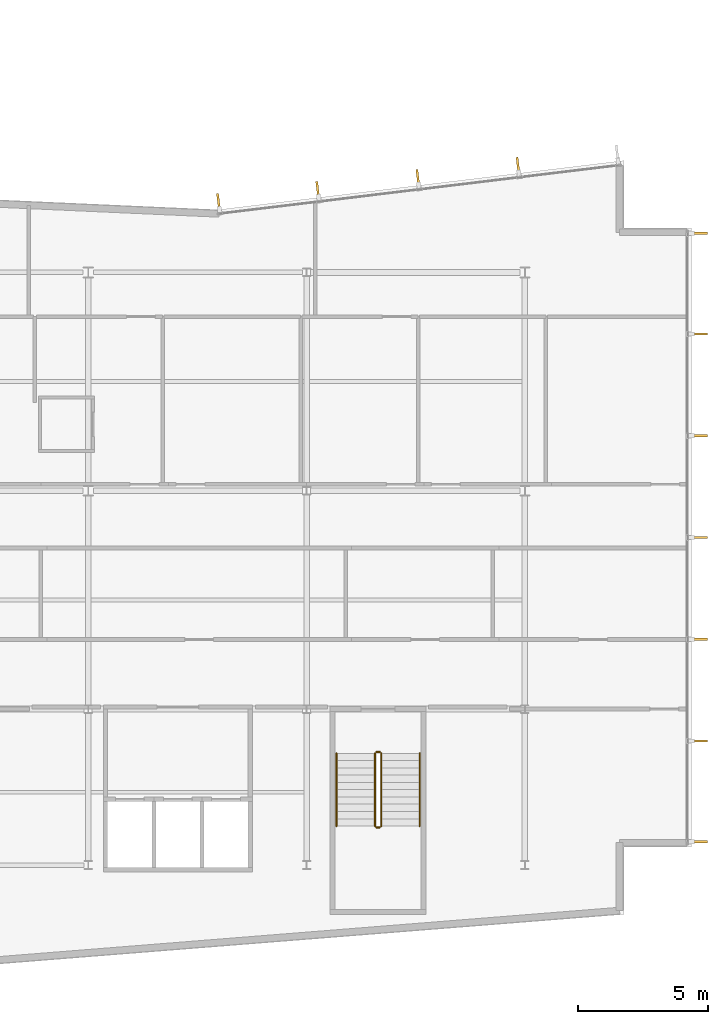
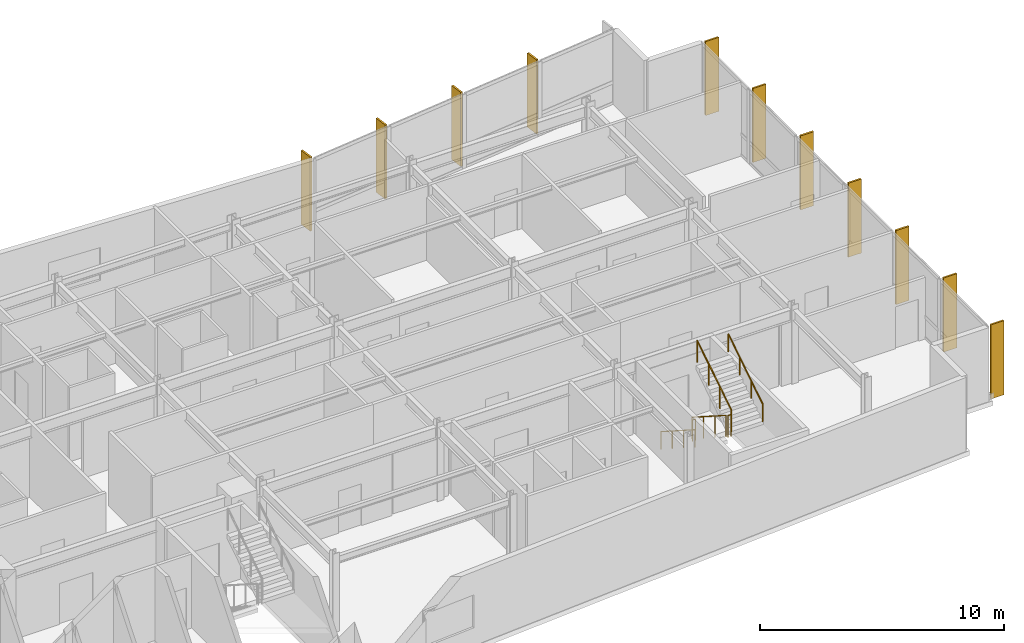
# One storey, part 16 of 18: 11 shading devices, 6 railings.
"""IFC4 building model written with IfcOpenShell, lengths in metres."""

from ifc_helpers import new_model, si_unit, direction, frame, origin, origin_2d, place, context, subcontext, project, spatial, rectangle, circle, extrude, material, layer, layer_set, type_object, element, save


model = new_model("IFC4")

# Units and contexts
model_context = context("Model", 3, precision=1e-05, world=origin(), true_north=direction((0.0, 1.0)))
body_context = subcontext(model_context, "Body", "Model", "MODEL_VIEW")
ifc_project = project(units=[si_unit("LENGTHUNIT", "METRE"), si_unit("AREAUNIT", "SQUARE_METRE"), si_unit("VOLUMEUNIT", "CUBIC_METRE"), si_unit("PLANEANGLEUNIT", "RADIAN"), si_unit("MASSUNIT", "GRAM", prefix="KILO")], contexts=[model_context])

# Site, building, storey
site_placement = place(None, origin())
site = spatial("IfcSite", under=ifc_project, at=site_placement, CompositionType="ELEMENT")
building_placement = place(site_placement, origin())
building = spatial("IfcBuilding", under=site, at=building_placement, Name="Varnakote Quay Hospital", CompositionType="ELEMENT")
storey_placement = place(building_placement, frame((0.0, 0.0, 158.64990234375)))
storey = spatial("IfcBuildingStorey", under=building, at=storey_placement, Name="L39", CompositionType="ELEMENT", Elevation=158.64990234375)

# Railings
ifc_material_1 = material(Name="Brushed stainless steel balustrade", Category="steel")
railing_type_1 = type_object("IfcRailingType", Name="RLG-STAIR-GUARD-1150", PredefinedType="GUARDRAIL", material=ifc_material_1)
railing_1_placement = place(storey_placement, frame((44.6298828125, 10.300048828125, 0.1796875)))
element("IfcRailing", 1, at=railing_1_placement, inside=storey, type_object=railing_type_1, Name="L39 ST-03 stair guard 1", PredefinedType="GUARDRAIL", context=body_context, shape_type="SweptSolid", body=[
    extrude(circle(Radius=0.02392578125, at=origin_2d()), frame((0.0, 0.0, 1.076171875), z_axis=(0.0, -0.841809871826, 0.539774156196), x_axis=(1.0, 0.0, 0.0)), (0.0, 0.0, 1.0), 3.326171875),
    extrude(circle(Radius=0.02099609375, at=origin_2d()), origin(), (0.0, 0.0, 1.0), 1.052001953125),
    extrude(circle(Radius=0.02099609375, at=origin_2d()), frame((0.0, -0.933349609375, 0.598388671875)), (0.0, 0.0, 1.0), 1.052001953125),
    extrude(circle(Radius=0.02099609375, at=origin_2d()), frame((0.0, -1.86669921875, 1.197021484375)), (0.0, 0.0, 1.0), 1.052001953125),
    extrude(circle(Radius=0.02099609375, at=origin_2d()), frame((0.0, -2.800048828125, 1.79541015625)), (0.0, 0.0, 1.0), 1.052001953125),
])
railing_2_placement = place(storey_placement, frame((44.679931640625, 7.449951171875, 1.97509765625)))
element("IfcRailing", 2, at=railing_2_placement, inside=storey, type_object=railing_type_1, Name="L39 ST-03 stair guard 2", PredefinedType="GUARDRAIL", context=body_context, shape_type="SweptSolid", body=[
    extrude(circle(Radius=0.02392578125, at=origin_2d()), frame((0.0, 0.0, 1.076171875), z_axis=(1.0, 0.0, 0.0), x_axis=(0.0, 1.0, 0.0)), (0.0, 0.0, 1.0), 0.14013671875),
    extrude(circle(Radius=0.02099609375, at=origin_2d()), origin(), (0.0, 0.0, 1.0), 1.052001953125),
    extrude(circle(Radius=0.02099609375, at=origin_2d()), frame((0.14013671875, 0.0, 0.0)), (0.0, 0.0, 1.0), 1.052001953125),
])
railing_3_placement = place(storey_placement, frame((44.8701171875, 7.5, 2.154541015625)))
element("IfcRailing", 3, at=railing_3_placement, inside=storey, type_object=railing_type_1, Name="L39 ST-03 stair guard 3", PredefinedType="GUARDRAIL", context=body_context, shape_type="SweptSolid", body=[
    extrude(circle(Radius=0.02392578125, at=origin_2d()), frame((0.0, 0.0, 1.076171875), z_axis=(0.0, 0.841776520102, 0.539826166654), x_axis=(-1.0, 0.0, 0.0)), (0.0, 0.0, 1.0), 3.326416015625),
    extrude(circle(Radius=0.02099609375, at=origin_2d()), origin(), (0.0, 0.0, 1.0), 1.052001953125),
    extrude(circle(Radius=0.02099609375, at=origin_2d()), frame((0.0, 0.933349609375, 0.5986328125)), (0.0, 0.0, 1.0), 1.052001953125),
    extrude(circle(Radius=0.02099609375, at=origin_2d()), frame((0.0, 1.86669921875, 1.197021484375)), (0.0, 0.0, 1.0), 1.052001953125),
    extrude(circle(Radius=0.02099609375, at=origin_2d()), frame((0.0, 2.800048828125, 1.795654296875)), (0.0, 0.0, 1.0), 1.052001953125),
])
railing_4_placement = place(storey_placement, frame((44.679931640625, 10.35009765625, 0.0)))
element("IfcRailing", 4, at=railing_4_placement, inside=storey, type_object=railing_type_1, Name="L39 ST-03 stair guard 4", PredefinedType="GUARDRAIL", context=body_context, shape_type="SweptSolid", body=[
    extrude(circle(Radius=0.02392578125, at=origin_2d()), frame((0.0, 0.0, 1.076171875), z_axis=(1.0, 0.0, 0.0), x_axis=(0.0, 1.0, 0.0)), (0.0, 0.0, 1.0), 0.14013671875),
    extrude(circle(Radius=0.02099609375, at=origin_2d()), origin(), (0.0, 0.0, 1.0), 1.052001953125),
    extrude(circle(Radius=0.02099609375, at=origin_2d()), frame((0.14013671875, 0.0, 0.0)), (0.0, 0.0, 1.0), 1.052001953125),
])
ifc_material_2 = material(Name="Brushed stainless steel handrail", Category="steel")
railing_type_2 = type_object("IfcRailingType", Name="RLG-STAIR-HND-920", PredefinedType="HANDRAIL", material=ifc_material_2)
railing_5_placement = place(storey_placement, frame((43.14990234375, 10.300048828125, 0.1796875)))
element("IfcRailing", 5, at=railing_5_placement, inside=storey, type_object=railing_type_2, Name="L39 ST-03 stair handrail 1", PredefinedType="HANDRAIL", context=body_context, shape_type="SweptSolid", body=[
    extrude(circle(Radius=0.02392578125, at=origin_2d()), frame((0.0, 0.0, 0.8759765625), z_axis=(0.0, -0.841809871826, 0.539774156196), x_axis=(1.0, 0.0, 0.0)), (0.0, 0.0, 1.0), 3.326171875),
    extrude(circle(Radius=0.02099609375, at=origin_2d()), origin(), (0.0, 0.0, 1.0), 0.851806640625),
    extrude(circle(Radius=0.02099609375, at=origin_2d()), frame((0.0, -0.933349609375, 0.598388671875)), (0.0, 0.0, 1.0), 0.851806640625),
    extrude(circle(Radius=0.02099609375, at=origin_2d()), frame((0.0, -1.86669921875, 1.197021484375)), (0.0, 0.0, 1.0), 0.851806640625),
    extrude(circle(Radius=0.02099609375, at=origin_2d()), frame((0.0, -2.800048828125, 1.79541015625)), (0.0, 0.0, 1.0), 0.851806640625),
])
railing_6_placement = place(storey_placement, frame((46.35009765625, 7.5, 2.154541015625)))
element("IfcRailing", 6, at=railing_6_placement, inside=storey, type_object=railing_type_2, Name="L39 ST-03 stair handrail 2", PredefinedType="HANDRAIL", context=body_context, shape_type="SweptSolid", body=[
    extrude(circle(Radius=0.02392578125, at=origin_2d()), frame((0.0, 0.0, 0.8759765625), z_axis=(0.0, 0.841776520102, 0.539826166654), x_axis=(-1.0, 0.0, 0.0)), (0.0, 0.0, 1.0), 3.326416015625),
    extrude(circle(Radius=0.02099609375, at=origin_2d()), origin(), (0.0, 0.0, 1.0), 0.851806640625),
    extrude(circle(Radius=0.02099609375, at=origin_2d()), frame((0.0, 0.933349609375, 0.5986328125)), (0.0, 0.0, 1.0), 0.851806640625),
    extrude(circle(Radius=0.02099609375, at=origin_2d()), frame((0.0, 1.86669921875, 1.197021484375)), (0.0, 0.0, 1.0), 0.851806640625),
    extrude(circle(Radius=0.02099609375, at=origin_2d()), frame((0.0, 2.800048828125, 1.795654296875)), (0.0, 0.0, 1.0), 0.851806640625),
])

# Shading devices
ifc_material_3 = material(Name="Anodised aluminium 6063-T6 Bronze", Category="aluminium")
ifc_layer = layer(ifc_material_3, 0.0849609375)
ifc_layer_set = layer_set([ifc_layer], Name="Anodised aluminium 6063-T6 Bronze")
shading_device_type = type_object("IfcShadingDeviceType", Name="SHD-BRONZE-FIN-620", PredefinedType="USERDEFINED", material=ifc_layer_set)
for number, where, z_axis, x_axis, name in (
    (7, (57.110107421875, 6.8974609375, 0.0), (0.0, 0.0, 1.0), (-1.0, 0.0, 0.0), "L39 Anodised Bronze Vertical Shading FIN"),
    (8, (57.110107421875, 10.773193359375, 0.0), (0.0, 0.0, 1.0), (-1.0, 0.0, 0.0), "L39 Anodised Bronze Vertical Shading FIN"),
    (9, (57.110107421875, 14.686767578125, 0.0), (0.0, 0.0, 1.0), (-1.0, 0.0, 0.0), "L39 Anodised Bronze Vertical Shading FIN"),
    (10, (57.110107421875, 18.60009765625, 0.0), (0.0, 0.0, 1.0), (-1.0, 0.0, 0.0), "L39 Anodised Bronze Vertical Shading FIN"),
    (11, (57.110107421875, 22.51318359375, 0.0), (0.0, 0.0, 1.0), (-1.0, 0.0, 0.0), "L39 Anodised Bronze Vertical Shading FIN"),
    (12, (57.110107421875, 26.4267578125, 0.0), (0.0, 0.0, 1.0), (-1.0, 0.0, 0.0), "L39 Anodised Bronze Vertical Shading FIN"),
    (13, (57.110107421875, 30.302490234375, 0.0), (0.0, 0.0, 1.0), (-1.0, 0.0, 0.0), "L39 Anodised Bronze Vertical Shading FIN"),
    (14, (50.131103515625, 32.9189453125, 0.0), (0.0, 0.0, 1.0), (0.120310105847, -0.992736358975, 0.0), "L39 Anodised Bronze Vertical Shading FIN"),
    (15, (46.278564453125, 32.4521484375, 0.0), (0.0, 0.0, 1.0), (0.120310105847, -0.992736358975, 0.0), "L39 Anodised Bronze Vertical Shading FIN"),
    (16, (42.426025390625, 31.985107421875, 0.0), (0.0, 0.0, 1.0), (0.120310105847, -0.992736358975, 0.0), "L39 Anodised Bronze Vertical Shading FIN"),
    (17, (38.61083984375, 31.522705078125, 0.0), (0.0, 0.0, 1.0), (0.120310105847, -0.992736358975, 0.0), "L39 Anodised Bronze Vertical Shading FIN"),
):
    element("IfcShadingDevice", number, at=place(storey_placement, frame(where, z_axis=z_axis, x_axis=x_axis)), inside=storey, type_object=shading_device_type, Name=name, ObjectType="FIN", PredefinedType="USERDEFINED", context=body_context, shape_type="SweptSolid", body=[
        extrude(rectangle(XDim=0.6201171875, YDim=0.0849609375, at=origin_2d()), origin(), (0.0, 0.0, 1.0), 3.7099609375),
    ])

save(model, "model.ifc")
